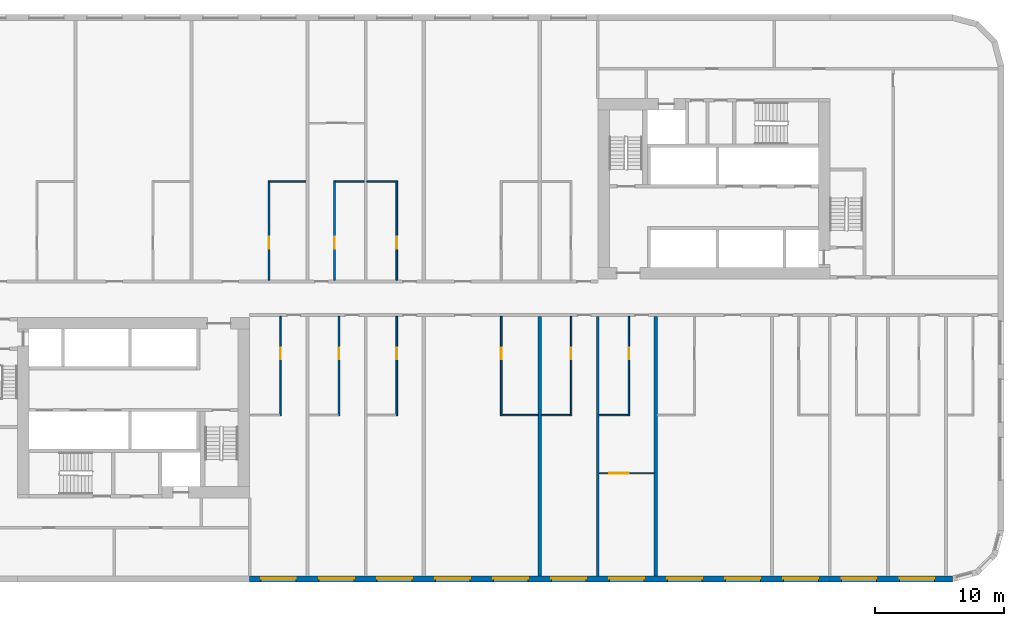
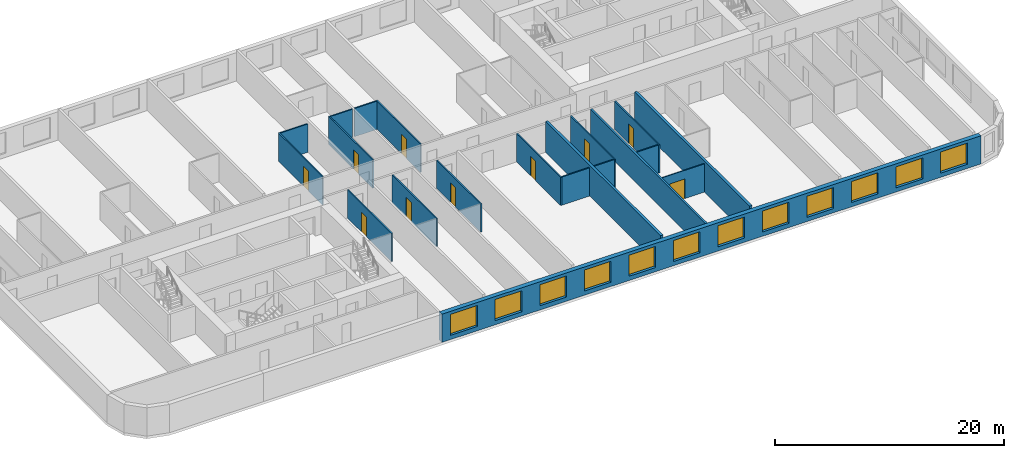
# One storey, part 4 of 12: 20 walls, 12 windows, 10 doors, 22 openings.
"""IFC4 building model written with IfcOpenShell, lengths in metres."""

from ifc_helpers import new_model, si_unit, direction, frame, frame_2d, origin, place, context, subcontext, project, spatial, rectangle, extrude, material, layer, layer_set, type_object, element, fill, save


model = new_model("IFC4")

# Units and contexts
model_context = context("Model", 3, precision=1e-05, world=origin(), true_north=direction((0.0, 1.0)))
body_context = subcontext(model_context, "Body", "Model", "MODEL_VIEW")
ifc_project = project(units=[si_unit("LENGTHUNIT", "METRE"), si_unit("AREAUNIT", "SQUARE_METRE"), si_unit("VOLUMEUNIT", "CUBIC_METRE"), si_unit("PLANEANGLEUNIT", "RADIAN"), si_unit("MASSUNIT", "GRAM", prefix="KILO")], contexts=[model_context])

# Site, building, storey
site_placement = place(None, origin())
site = spatial("IfcSite", under=ifc_project, at=site_placement, CompositionType="ELEMENT")
building_placement = place(site_placement, origin())
building = spatial("IfcBuilding", under=site, at=building_placement, Name="Kajstack Hotel Tower", CompositionType="ELEMENT")
storey_placement = place(building_placement, frame((0.0, 0.0, 83.10009765625)))
storey = spatial("IfcBuildingStorey", under=building, at=storey_placement, Name="L16", CompositionType="ELEMENT", Elevation=83.10009765625)

# Wall
ifc_material_1 = material(Name="Twin-frame gypsum board on steel studs, mineral wool", Category="steel")
ifc_layer_1 = layer(ifc_material_1, 0.199951171875)
ifc_layer_set_1 = layer_set([ifc_layer_1], Name="Demising wall 200")
wall_type_1 = type_object("IfcWallType", Name="Demising wall 200", PredefinedType="PARTITIONING", material=ifc_layer_set_1)
wall_1_placement = place(storey_placement, frame((13.5, -21.550048828125, 0.0), z_axis=(0.0, 0.0, 1.0), x_axis=(0.0, 1.0, 0.0)))
element("IfcWall", 1, at=wall_1_placement, inside=storey, type_object=wall_type_1, Name="G-wall-L16-034", PredefinedType="PARTITIONING", context=body_context, shape_type="SweptSolid", body=[
    extrude(rectangle(XDim=20.150146484375, YDim=0.199951171875, at=frame_2d((10.0751953125, 0.0))), origin(), (0.0, 0.0, 1.0), 3.02001953125),
])

# Wall, openings, windows
ifc_material_2 = material(Name="Terracotta-faced brick masonry", Category="masonry")
ifc_layer_2 = layer(ifc_material_2, 0.449951171875)
ifc_layer_set_2 = layer_set([ifc_layer_2], Name="EW-TERRA")
wall_type_2 = type_object("IfcWallType", Name="EW-TERRA", PredefinedType="SOLIDWALL", material=ifc_layer_set_2)
wall_2_placement = place(storey_placement, frame((-13.5, -21.77490234375, 0.0), z_axis=(0.0, 0.0, 1.0), x_axis=(1.0, 0.0, 0.0)))
wall_2 = element("IfcWall", 2, at=wall_2_placement, inside=storey, type_object=wall_type_2, Name="E-wall-L16-03-02", PredefinedType="SOLIDWALL", context=body_context, shape_type="SweptSolid", body=[
    extrude(rectangle(XDim=54.5, YDim=0.449951171875, at=frame_2d((27.25, 0.0))), origin(), (0.0, 0.0, 1.0), 3.02001953125),
])
opening_1_placement = place(wall_2_placement, frame((0.89990234375, 0.0, 0.449951171875)))
opening_1 = element("IfcOpeningElement", 3, at=opening_1_placement, cuts=wall_2, Name="Opening W1", PredefinedType="OPENING", context=body_context, shape_type="SweptSolid", body=[
    extrude(rectangle(XDim=2.699951171875, YDim=2.25, at=frame_2d((1.35009765625, 1.125))), frame((0.0, 0.23486328125, 0.0), z_axis=(0.0, -1.0, 0.0), x_axis=(1.0, 0.0, 0.0)), (0.0, 0.0, 1.0), 0.469970703125),
])
opening_2_placement = place(wall_2_placement, frame((5.39990234375, 0.0, 0.449951171875)))
opening_2 = element("IfcOpeningElement", 4, at=opening_2_placement, cuts=wall_2, Name="Opening W1", PredefinedType="OPENING", context=body_context, shape_type="SweptSolid", body=[
    extrude(rectangle(XDim=2.699951171875, YDim=2.25, at=frame_2d((1.35009765625, 1.125))), frame((0.0, 0.23486328125, 0.0), z_axis=(0.0, -1.0, 0.0), x_axis=(1.0, 0.0, 0.0)), (0.0, 0.0, 1.0), 0.469970703125),
])
opening_3_placement = place(wall_2_placement, frame((9.89990234375, 0.0, 0.449951171875)))
opening_3 = element("IfcOpeningElement", 5, at=opening_3_placement, cuts=wall_2, Name="Opening W1", PredefinedType="OPENING", context=body_context, shape_type="SweptSolid", body=[
    extrude(rectangle(XDim=2.699951171875, YDim=2.25, at=frame_2d((1.35009765625, 1.125))), frame((0.0, 0.23486328125, 0.0), z_axis=(0.0, -1.0, 0.0), x_axis=(1.0, 0.0, 0.0)), (0.0, 0.0, 1.0), 0.469970703125),
])
opening_4_placement = place(wall_2_placement, frame((14.39990234375, 0.0, 0.449951171875)))
opening_4 = element("IfcOpeningElement", 6, at=opening_4_placement, cuts=wall_2, Name="Opening W1", PredefinedType="OPENING", context=body_context, shape_type="SweptSolid", body=[
    extrude(rectangle(XDim=2.699951171875, YDim=2.25, at=frame_2d((1.35009765625, 1.125))), frame((0.0, 0.23486328125, 0.0), z_axis=(0.0, -1.0, 0.0), x_axis=(1.0, 0.0, 0.0)), (0.0, 0.0, 1.0), 0.469970703125),
])
opening_5_placement = place(wall_2_placement, frame((18.89990234375, 0.0, 0.449951171875)))
opening_5 = element("IfcOpeningElement", 7, at=opening_5_placement, cuts=wall_2, Name="Opening W1", PredefinedType="OPENING", context=body_context, shape_type="SweptSolid", body=[
    extrude(rectangle(XDim=2.699951171875, YDim=2.25, at=frame_2d((1.35009765625, 1.125))), frame((0.0, 0.23486328125, 0.0), z_axis=(0.0, -1.0, 0.0), x_axis=(1.0, 0.0, 0.0)), (0.0, 0.0, 1.0), 0.469970703125),
])
opening_6_placement = place(wall_2_placement, frame((23.39990234375, 0.0, 0.449951171875)))
opening_6 = element("IfcOpeningElement", 8, at=opening_6_placement, cuts=wall_2, Name="Opening W1", PredefinedType="OPENING", context=body_context, shape_type="SweptSolid", body=[
    extrude(rectangle(XDim=2.699951171875, YDim=2.25, at=frame_2d((1.35009765625, 1.125))), frame((0.0, 0.23486328125, 0.0), z_axis=(0.0, -1.0, 0.0), x_axis=(1.0, 0.0, 0.0)), (0.0, 0.0, 1.0), 0.469970703125),
])
opening_7_placement = place(wall_2_placement, frame((27.89990234375, 0.0, 0.449951171875)))
opening_7 = element("IfcOpeningElement", 9, at=opening_7_placement, cuts=wall_2, Name="Opening W1", PredefinedType="OPENING", context=body_context, shape_type="SweptSolid", body=[
    extrude(rectangle(XDim=2.699951171875, YDim=2.25, at=frame_2d((1.35009765625, 1.125))), frame((0.0, 0.23486328125, 0.0), z_axis=(0.0, -1.0, 0.0), x_axis=(1.0, 0.0, 0.0)), (0.0, 0.0, 1.0), 0.469970703125),
])
opening_8_placement = place(wall_2_placement, frame((32.39990234375, 0.0, 0.449951171875)))
opening_8 = element("IfcOpeningElement", 10, at=opening_8_placement, cuts=wall_2, Name="Opening W1", PredefinedType="OPENING", context=body_context, shape_type="SweptSolid", body=[
    extrude(rectangle(XDim=2.699951171875, YDim=2.25, at=frame_2d((1.35009765625, 1.125))), frame((0.0, 0.23486328125, 0.0), z_axis=(0.0, -1.0, 0.0), x_axis=(1.0, 0.0, 0.0)), (0.0, 0.0, 1.0), 0.469970703125),
])
opening_9_placement = place(wall_2_placement, frame((36.89990234375, 0.0, 0.449951171875)))
opening_9 = element("IfcOpeningElement", 11, at=opening_9_placement, cuts=wall_2, Name="Opening W1", PredefinedType="OPENING", context=body_context, shape_type="SweptSolid", body=[
    extrude(rectangle(XDim=2.699951171875, YDim=2.25, at=frame_2d((1.35009765625, 1.125))), frame((0.0, 0.23486328125, 0.0), z_axis=(0.0, -1.0, 0.0), x_axis=(1.0, 0.0, 0.0)), (0.0, 0.0, 1.0), 0.469970703125),
])
opening_10_placement = place(wall_2_placement, frame((41.39990234375, 0.0, 0.449951171875)))
opening_10 = element("IfcOpeningElement", 12, at=opening_10_placement, cuts=wall_2, Name="Opening W1", PredefinedType="OPENING", context=body_context, shape_type="SweptSolid", body=[
    extrude(rectangle(XDim=2.699951171875, YDim=2.25, at=frame_2d((1.35009765625, 1.125))), frame((0.0, 0.23486328125, 0.0), z_axis=(0.0, -1.0, 0.0), x_axis=(1.0, 0.0, 0.0)), (0.0, 0.0, 1.0), 0.469970703125),
])
opening_11_placement = place(wall_2_placement, frame((45.89990234375, 0.0, 0.449951171875)))
opening_11 = element("IfcOpeningElement", 13, at=opening_11_placement, cuts=wall_2, Name="Opening W1", PredefinedType="OPENING", context=body_context, shape_type="SweptSolid", body=[
    extrude(rectangle(XDim=2.699951171875, YDim=2.25, at=frame_2d((1.35009765625, 1.125))), frame((0.0, 0.23486328125, 0.0), z_axis=(0.0, -1.0, 0.0), x_axis=(1.0, 0.0, 0.0)), (0.0, 0.0, 1.0), 0.469970703125),
])
opening_12_placement = place(wall_2_placement, frame((50.39990234375, 0.0, 0.449951171875)))
opening_12 = element("IfcOpeningElement", 14, at=opening_12_placement, cuts=wall_2, Name="Opening W1", PredefinedType="OPENING", context=body_context, shape_type="SweptSolid", body=[
    extrude(rectangle(XDim=2.699951171875, YDim=2.25, at=frame_2d((1.35009765625, 1.125))), frame((0.0, 0.23486328125, 0.0), z_axis=(0.0, -1.0, 0.0), x_axis=(1.0, 0.0, 0.0)), (0.0, 0.0, 1.0), 0.469970703125),
])
ifc_material_3 = material(Name="Timber-aluminium window, triple glazed", Category="wood")
window_type = type_object("IfcWindowType", Name="WG1", PartitioningType="SINGLE_PANEL", PredefinedType="WINDOW", material=ifc_material_3)
window_1_placement = place(opening_1_placement, origin())
window_1 = element("IfcWindow", 15, at=window_1_placement, inside=storey, type_object=window_type, Name="Window W1 L16-03", OverallHeight=2.25, OverallWidth=2.699951171875, PartitioningType="SINGLE_PANEL", PredefinedType="WINDOW", context=body_context, shape_type="SweptSolid", body=[
    extrude(rectangle(XDim=2.699951171875, YDim=2.25, at=frame_2d((1.35009765625, 1.125))), frame((0.0, 0.090087890625, 0.0), z_axis=(0.0, -1.0, 0.0), x_axis=(1.0, 0.0, 0.0)), (0.0, 0.0, 1.0), 0.06005859375),
])
fill(opening_1, window_1)
window_2_placement = place(opening_2_placement, origin())
window_2 = element("IfcWindow", 16, at=window_2_placement, inside=storey, type_object=window_type, Name="Window W1 L16-03", OverallHeight=2.25, OverallWidth=2.699951171875, PartitioningType="SINGLE_PANEL", PredefinedType="WINDOW", context=body_context, shape_type="SweptSolid", body=[
    extrude(rectangle(XDim=2.699951171875, YDim=2.25, at=frame_2d((1.35009765625, 1.125))), frame((0.0, 0.090087890625, 0.0), z_axis=(0.0, -1.0, 0.0), x_axis=(1.0, 0.0, 0.0)), (0.0, 0.0, 1.0), 0.06005859375),
])
fill(opening_2, window_2)
window_3_placement = place(opening_3_placement, origin())
window_3 = element("IfcWindow", 17, at=window_3_placement, inside=storey, type_object=window_type, Name="Window W1 L16-03", OverallHeight=2.25, OverallWidth=2.699951171875, PartitioningType="SINGLE_PANEL", PredefinedType="WINDOW", context=body_context, shape_type="SweptSolid", body=[
    extrude(rectangle(XDim=2.699951171875, YDim=2.25, at=frame_2d((1.35009765625, 1.125))), frame((0.0, 0.090087890625, 0.0), z_axis=(0.0, -1.0, 0.0), x_axis=(1.0, 0.0, 0.0)), (0.0, 0.0, 1.0), 0.06005859375),
])
fill(opening_3, window_3)
window_4_placement = place(opening_4_placement, origin())
window_4 = element("IfcWindow", 18, at=window_4_placement, inside=storey, type_object=window_type, Name="Window W1 L16-03", OverallHeight=2.25, OverallWidth=2.699951171875, PartitioningType="SINGLE_PANEL", PredefinedType="WINDOW", context=body_context, shape_type="SweptSolid", body=[
    extrude(rectangle(XDim=2.699951171875, YDim=2.25, at=frame_2d((1.35009765625, 1.125))), frame((0.0, 0.090087890625, 0.0), z_axis=(0.0, -1.0, 0.0), x_axis=(1.0, 0.0, 0.0)), (0.0, 0.0, 1.0), 0.06005859375),
])
fill(opening_4, window_4)
window_5_placement = place(opening_5_placement, origin())
window_5 = element("IfcWindow", 19, at=window_5_placement, inside=storey, type_object=window_type, Name="Window W1 L16-03", OverallHeight=2.25, OverallWidth=2.699951171875, PartitioningType="SINGLE_PANEL", PredefinedType="WINDOW", context=body_context, shape_type="SweptSolid", body=[
    extrude(rectangle(XDim=2.699951171875, YDim=2.25, at=frame_2d((1.35009765625, 1.125))), frame((0.0, 0.090087890625, 0.0), z_axis=(0.0, -1.0, 0.0), x_axis=(1.0, 0.0, 0.0)), (0.0, 0.0, 1.0), 0.06005859375),
])
fill(opening_5, window_5)
window_6_placement = place(opening_6_placement, origin())
window_6 = element("IfcWindow", 20, at=window_6_placement, inside=storey, type_object=window_type, Name="Window W1 L16-03", OverallHeight=2.25, OverallWidth=2.699951171875, PartitioningType="SINGLE_PANEL", PredefinedType="WINDOW", context=body_context, shape_type="SweptSolid", body=[
    extrude(rectangle(XDim=2.699951171875, YDim=2.25, at=frame_2d((1.35009765625, 1.125))), frame((0.0, 0.090087890625, 0.0), z_axis=(0.0, -1.0, 0.0), x_axis=(1.0, 0.0, 0.0)), (0.0, 0.0, 1.0), 0.06005859375),
])
fill(opening_6, window_6)
window_7_placement = place(opening_7_placement, origin())
window_7 = element("IfcWindow", 21, at=window_7_placement, inside=storey, type_object=window_type, Name="Window W1 L16-03", OverallHeight=2.25, OverallWidth=2.699951171875, PartitioningType="SINGLE_PANEL", PredefinedType="WINDOW", context=body_context, shape_type="SweptSolid", body=[
    extrude(rectangle(XDim=2.699951171875, YDim=2.25, at=frame_2d((1.35009765625, 1.125))), frame((0.0, 0.090087890625, 0.0), z_axis=(0.0, -1.0, 0.0), x_axis=(1.0, 0.0, 0.0)), (0.0, 0.0, 1.0), 0.06005859375),
])
fill(opening_7, window_7)
window_8_placement = place(opening_8_placement, origin())
window_8 = element("IfcWindow", 22, at=window_8_placement, inside=storey, type_object=window_type, Name="Window W1 L16-03", OverallHeight=2.25, OverallWidth=2.699951171875, PartitioningType="SINGLE_PANEL", PredefinedType="WINDOW", context=body_context, shape_type="SweptSolid", body=[
    extrude(rectangle(XDim=2.699951171875, YDim=2.25, at=frame_2d((1.35009765625, 1.125))), frame((0.0, 0.090087890625, 0.0), z_axis=(0.0, -1.0, 0.0), x_axis=(1.0, 0.0, 0.0)), (0.0, 0.0, 1.0), 0.06005859375),
])
fill(opening_8, window_8)
window_9_placement = place(opening_9_placement, origin())
window_9 = element("IfcWindow", 23, at=window_9_placement, inside=storey, type_object=window_type, Name="Window W1 L16-03", OverallHeight=2.25, OverallWidth=2.699951171875, PartitioningType="SINGLE_PANEL", PredefinedType="WINDOW", context=body_context, shape_type="SweptSolid", body=[
    extrude(rectangle(XDim=2.699951171875, YDim=2.25, at=frame_2d((1.35009765625, 1.125))), frame((0.0, 0.090087890625, 0.0), z_axis=(0.0, -1.0, 0.0), x_axis=(1.0, 0.0, 0.0)), (0.0, 0.0, 1.0), 0.06005859375),
])
fill(opening_9, window_9)
window_10_placement = place(opening_10_placement, origin())
window_10 = element("IfcWindow", 24, at=window_10_placement, inside=storey, type_object=window_type, Name="Window W1 L16-03", OverallHeight=2.25, OverallWidth=2.699951171875, PartitioningType="SINGLE_PANEL", PredefinedType="WINDOW", context=body_context, shape_type="SweptSolid", body=[
    extrude(rectangle(XDim=2.699951171875, YDim=2.25, at=frame_2d((1.35009765625, 1.125))), frame((0.0, 0.090087890625, 0.0), z_axis=(0.0, -1.0, 0.0), x_axis=(1.0, 0.0, 0.0)), (0.0, 0.0, 1.0), 0.06005859375),
])
fill(opening_10, window_10)
window_11_placement = place(opening_11_placement, origin())
window_11 = element("IfcWindow", 25, at=window_11_placement, inside=storey, type_object=window_type, Name="Window W1 L16-03", OverallHeight=2.25, OverallWidth=2.699951171875, PartitioningType="SINGLE_PANEL", PredefinedType="WINDOW", context=body_context, shape_type="SweptSolid", body=[
    extrude(rectangle(XDim=2.699951171875, YDim=2.25, at=frame_2d((1.35009765625, 1.125))), frame((0.0, 0.090087890625, 0.0), z_axis=(0.0, -1.0, 0.0), x_axis=(1.0, 0.0, 0.0)), (0.0, 0.0, 1.0), 0.06005859375),
])
fill(opening_11, window_11)
window_12_placement = place(opening_12_placement, origin())
window_12 = element("IfcWindow", 26, at=window_12_placement, inside=storey, type_object=window_type, Name="Window W1 L16-03", OverallHeight=2.25, OverallWidth=2.699951171875, PartitioningType="SINGLE_PANEL", PredefinedType="WINDOW", context=body_context, shape_type="SweptSolid", body=[
    extrude(rectangle(XDim=2.699951171875, YDim=2.25, at=frame_2d((1.35009765625, 1.125))), frame((0.0, 0.090087890625, 0.0), z_axis=(0.0, -1.0, 0.0), x_axis=(1.0, 0.0, 0.0)), (0.0, 0.0, 1.0), 0.06005859375),
])
fill(opening_12, window_12)

# Wall, opening, door
ifc_material_4 = material(Name="Gypsum board and tiled backer on steel studs", Category="steel")
ifc_layer_3 = layer(ifc_material_4, 0.125)
ifc_layer_set_3 = layer_set([ifc_layer_3], Name="En-suite wall 125")
wall_type_3 = type_object("IfcWallType", Name="En-suite wall 125", PredefinedType="PARTITIONING", material=ifc_layer_set_3)
wall_3_placement = place(storey_placement, frame((-11.988037109375, 1.39990234375, 0.0), z_axis=(0.0, 0.0, 1.0), x_axis=(0.0, 1.0, 0.0)))
wall_3 = element("IfcWall", 27, at=wall_3_placement, inside=storey, type_object=wall_type_3, Name="G-wall-L16-012", PredefinedType="PARTITIONING", context=body_context, shape_type="SweptSolid", body=[
    extrude(rectangle(XDim=7.72509765625, YDim=0.125, at=frame_2d((3.862548828125, 0.0))), origin(), (0.0, 0.0, 1.0), 3.02001953125),
])
opening_13_placement = place(wall_3_placement, frame((2.449951171875, 0.0, 0.0)))
opening_13 = element("IfcOpeningElement", 28, at=opening_13_placement, cuts=wall_3, Name="Opening 16010", PredefinedType="OPENING", context=body_context, shape_type="SweptSolid", body=[
    extrude(rectangle(XDim=0.89990234375, YDim=2.10009765625, at=frame_2d((0.449951171875, 1.050048828125))), frame((0.0, 0.072509765625, 0.0), z_axis=(0.0, -1.0, 0.0), x_axis=(1.0, 0.0, 0.0)), (0.0, 0.0, 1.0), 0.14501953125),
])
ifc_material_5 = material(Name="Painted timber door leaf", Category="wood")
door_type_1 = type_object("IfcDoorType", Name="Room door 900", OperationType="SINGLE_SWING_LEFT", PredefinedType="DOOR", material=ifc_material_5)
door_1_placement = place(opening_13_placement, origin())
door_1 = element("IfcDoor", 29, at=door_1_placement, inside=storey, type_object=door_type_1, Name="G-door-L16-10", OperationType="SINGLE_SWING_RIGHT", OverallHeight=2.10009765625, OverallWidth=0.89990234375, PredefinedType="DOOR", context=body_context, shape_type="SweptSolid", body=[
    extrude(rectangle(XDim=0.89990234375, YDim=2.10009765625, at=frame_2d((0.449951171875, 1.050048828125))), frame((0.0, 0.02490234375, 0.0), z_axis=(0.0, -1.0, 0.0), x_axis=(1.0, 0.0, 0.0)), (0.0, 0.0, 1.0), 0.050048828125),
])
fill(opening_13, door_1)

# Wall
wall_4_placement = place(storey_placement, frame((-11.925048828125, 9.06201171875, 0.0), z_axis=(0.0, 0.0, 1.0), x_axis=(1.0, 0.0, 0.0)))
element("IfcWall", 30, at=wall_4_placement, inside=storey, type_object=wall_type_3, Name="G-wall-L16-013", PredefinedType="PARTITIONING", context=body_context, shape_type="SweptSolid", body=[
    extrude(rectangle(XDim=2.800048828125, YDim=0.125, at=frame_2d((1.39990234375, 0.0))), origin(), (0.0, 0.0, 1.0), 3.02001953125),
])

# Wall, opening, door
wall_5_placement = place(storey_placement, frame((-6.912109375, 1.39990234375, 0.0), z_axis=(0.0, 0.0, 1.0), x_axis=(0.0, 1.0, 0.0)))
wall_5 = element("IfcWall", 31, at=wall_5_placement, inside=storey, type_object=wall_type_3, Name="G-wall-L16-015", PredefinedType="PARTITIONING", context=body_context, shape_type="SweptSolid", body=[
    extrude(rectangle(XDim=7.72509765625, YDim=0.125, at=frame_2d((3.862548828125, 0.0))), origin(), (0.0, 0.0, 1.0), 3.02001953125),
])
opening_14_placement = place(wall_5_placement, frame((2.449951171875, 0.0, 0.0)))
opening_14 = element("IfcOpeningElement", 32, at=opening_14_placement, cuts=wall_5, Name="Opening 16012", PredefinedType="OPENING", context=body_context, shape_type="SweptSolid", body=[
    extrude(rectangle(XDim=0.89990234375, YDim=2.10009765625, at=frame_2d((0.449951171875, 1.050048828125))), frame((0.0, 0.072509765625, 0.0), z_axis=(0.0, -1.0, 0.0), x_axis=(1.0, 0.0, 0.0)), (0.0, 0.0, 1.0), 0.14501953125),
])
door_2_placement = place(opening_14_placement, origin())
door_2 = element("IfcDoor", 33, at=door_2_placement, inside=storey, type_object=door_type_1, Name="G-door-L16-12", OperationType="SINGLE_SWING_RIGHT", OverallHeight=2.10009765625, OverallWidth=0.89990234375, PredefinedType="DOOR", context=body_context, shape_type="SweptSolid", body=[
    extrude(rectangle(XDim=0.89990234375, YDim=2.10009765625, at=frame_2d((0.449951171875, 1.050048828125))), frame((0.0, 0.02490234375, 0.0), z_axis=(0.0, -1.0, 0.0), x_axis=(1.0, 0.0, 0.0)), (0.0, 0.0, 1.0), 0.050048828125),
])
fill(opening_14, door_2)

# Wall
wall_6_placement = place(storey_placement, frame((-6.85009765625, 9.06201171875, 0.0), z_axis=(0.0, 0.0, 1.0), x_axis=(1.0, 0.0, 0.0)))
element("IfcWall", 34, at=wall_6_placement, inside=storey, type_object=wall_type_3, Name="G-wall-L16-016", PredefinedType="PARTITIONING", context=body_context, shape_type="SweptSolid", body=[
    extrude(rectangle(XDim=2.25, YDim=0.125, at=frame_2d((1.125, 0.0))), origin(), (0.0, 0.0, 1.0), 3.02001953125),
])

# Wall, opening, door
wall_7_placement = place(storey_placement, frame((-2.0869140625, 1.39990234375, 0.0), z_axis=(0.0, 0.0, 1.0), x_axis=(0.0, 1.0, 0.0)))
wall_7 = element("IfcWall", 35, at=wall_7_placement, inside=storey, type_object=wall_type_3, Name="G-wall-L16-018", PredefinedType="PARTITIONING", context=body_context, shape_type="SweptSolid", body=[
    extrude(rectangle(XDim=7.72509765625, YDim=0.125, at=frame_2d((3.862548828125, 0.0))), origin(), (0.0, 0.0, 1.0), 3.02001953125),
])
opening_15_placement = place(wall_7_placement, frame((2.449951171875, 0.0, 0.0)))
opening_15 = element("IfcOpeningElement", 36, at=opening_15_placement, cuts=wall_7, Name="Opening 16015", PredefinedType="OPENING", context=body_context, shape_type="SweptSolid", body=[
    extrude(rectangle(XDim=0.89990234375, YDim=2.10009765625, at=frame_2d((0.449951171875, 1.050048828125))), frame((0.0, 0.072509765625, 0.0), z_axis=(0.0, -1.0, 0.0), x_axis=(1.0, 0.0, 0.0)), (0.0, 0.0, 1.0), 0.14501953125),
])
door_3_placement = place(opening_15_placement, origin())
door_3 = element("IfcDoor", 37, at=door_3_placement, inside=storey, type_object=door_type_1, Name="G-door-L16-15", OperationType="SINGLE_SWING_LEFT", OverallHeight=2.10009765625, OverallWidth=0.89990234375, PredefinedType="DOOR", context=body_context, shape_type="SweptSolid", body=[
    extrude(rectangle(XDim=0.89990234375, YDim=2.10009765625, at=frame_2d((0.449951171875, 1.050048828125))), frame((0.0, 0.02490234375, 0.0), z_axis=(0.0, -1.0, 0.0), x_axis=(1.0, 0.0, 0.0)), (0.0, 0.0, 1.0), 0.050048828125),
])
fill(opening_15, door_3)

# Wall
wall_8_placement = place(storey_placement, frame((-4.39990234375, 9.06201171875, 0.0), z_axis=(0.0, 0.0, 1.0), x_axis=(1.0, 0.0, 0.0)))
element("IfcWall", 38, at=wall_8_placement, inside=storey, type_object=wall_type_3, Name="G-wall-L16-019", PredefinedType="PARTITIONING", context=body_context, shape_type="SweptSolid", body=[
    extrude(rectangle(XDim=2.25, YDim=0.125, at=frame_2d((1.125, 0.0))), origin(), (0.0, 0.0, 1.0), 3.02001953125),
])

# Wall, opening, door
wall_9_placement = place(storey_placement, frame((-11.087890625, -9.125, 0.0), z_axis=(0.0, 0.0, 1.0), x_axis=(0.0, 1.0, 0.0)))
wall_9 = element("IfcWall", 39, at=wall_9_placement, inside=storey, type_object=wall_type_3, Name="G-wall-L16-025", PredefinedType="PARTITIONING", context=body_context, shape_type="SweptSolid", body=[
    extrude(rectangle(XDim=7.72509765625, YDim=0.125, at=frame_2d((3.862548828125, 0.0))), origin(), (0.0, 0.0, 1.0), 3.02001953125),
])
opening_16_placement = place(wall_9_placement, frame((4.375, 0.0, 0.0)))
opening_16 = element("IfcOpeningElement", 40, at=opening_16_placement, cuts=wall_9, Name="Opening 16021", PredefinedType="OPENING", context=body_context, shape_type="SweptSolid", body=[
    extrude(rectangle(XDim=0.89990234375, YDim=2.10009765625, at=frame_2d((0.449951171875, 1.050048828125))), frame((0.0, 0.072509765625, 0.0), z_axis=(0.0, -1.0, 0.0), x_axis=(1.0, 0.0, 0.0)), (0.0, 0.0, 1.0), 0.14501953125),
])
door_4_placement = place(opening_16_placement, origin())
door_4 = element("IfcDoor", 41, at=door_4_placement, inside=storey, type_object=door_type_1, Name="G-door-L16-21", OperationType="SINGLE_SWING_LEFT", OverallHeight=2.10009765625, OverallWidth=0.89990234375, PredefinedType="DOOR", context=body_context, shape_type="SweptSolid", body=[
    extrude(rectangle(XDim=0.89990234375, YDim=2.10009765625, at=frame_2d((0.449951171875, 1.050048828125))), frame((0.0, 0.02490234375, 0.0), z_axis=(0.0, -1.0, 0.0), x_axis=(1.0, 0.0, 0.0)), (0.0, 0.0, 1.0), 0.050048828125),
])
fill(opening_16, door_4)

wall_10_placement = place(storey_placement, frame((-6.56201171875, -9.125, 0.0), z_axis=(0.0, 0.0, 1.0), x_axis=(0.0, 1.0, 0.0)))
wall_10 = element("IfcWall", 42, at=wall_10_placement, inside=storey, type_object=wall_type_3, Name="G-wall-L16-028", PredefinedType="PARTITIONING", context=body_context, shape_type="SweptSolid", body=[
    extrude(rectangle(XDim=7.72509765625, YDim=0.125, at=frame_2d((3.862548828125, 0.0))), origin(), (0.0, 0.0, 1.0), 3.02001953125),
])
opening_17_placement = place(wall_10_placement, frame((4.375, 0.0, 0.0)))
opening_17 = element("IfcOpeningElement", 43, at=opening_17_placement, cuts=wall_10, Name="Opening 16023", PredefinedType="OPENING", context=body_context, shape_type="SweptSolid", body=[
    extrude(rectangle(XDim=0.89990234375, YDim=2.10009765625, at=frame_2d((0.449951171875, 1.050048828125))), frame((0.0, 0.072509765625, 0.0), z_axis=(0.0, -1.0, 0.0), x_axis=(1.0, 0.0, 0.0)), (0.0, 0.0, 1.0), 0.14501953125),
])
door_5_placement = place(opening_17_placement, origin())
door_5 = element("IfcDoor", 44, at=door_5_placement, inside=storey, type_object=door_type_1, Name="G-door-L16-23", OperationType="SINGLE_SWING_RIGHT", OverallHeight=2.10009765625, OverallWidth=0.89990234375, PredefinedType="DOOR", context=body_context, shape_type="SweptSolid", body=[
    extrude(rectangle(XDim=0.89990234375, YDim=2.10009765625, at=frame_2d((0.449951171875, 1.050048828125))), frame((0.0, 0.02490234375, 0.0), z_axis=(0.0, -1.0, 0.0), x_axis=(1.0, 0.0, 0.0)), (0.0, 0.0, 1.0), 0.050048828125),
])
fill(opening_17, door_5)

wall_11_placement = place(storey_placement, frame((-2.0869140625, -9.125, 0.0), z_axis=(0.0, 0.0, 1.0), x_axis=(0.0, 1.0, 0.0)))
wall_11 = element("IfcWall", 45, at=wall_11_placement, inside=storey, type_object=wall_type_3, Name="G-wall-L16-030", PredefinedType="PARTITIONING", context=body_context, shape_type="SweptSolid", body=[
    extrude(rectangle(XDim=7.72509765625, YDim=0.125, at=frame_2d((3.862548828125, 0.0))), origin(), (0.0, 0.0, 1.0), 3.02001953125),
])
opening_18_placement = place(wall_11_placement, frame((4.375, 0.0, 0.0)))
opening_18 = element("IfcOpeningElement", 46, at=opening_18_placement, cuts=wall_11, Name="Opening 16025", PredefinedType="OPENING", context=body_context, shape_type="SweptSolid", body=[
    extrude(rectangle(XDim=0.89990234375, YDim=2.10009765625, at=frame_2d((0.449951171875, 1.050048828125))), frame((0.0, 0.072509765625, 0.0), z_axis=(0.0, -1.0, 0.0), x_axis=(1.0, 0.0, 0.0)), (0.0, 0.0, 1.0), 0.14501953125),
])
door_6_placement = place(opening_18_placement, origin())
door_6 = element("IfcDoor", 47, at=door_6_placement, inside=storey, type_object=door_type_1, Name="G-door-L16-25", OperationType="SINGLE_SWING_RIGHT", OverallHeight=2.10009765625, OverallWidth=0.89990234375, PredefinedType="DOOR", context=body_context, shape_type="SweptSolid", body=[
    extrude(rectangle(XDim=0.89990234375, YDim=2.10009765625, at=frame_2d((0.449951171875, 1.050048828125))), frame((0.0, 0.02490234375, 0.0), z_axis=(0.0, -1.0, 0.0), x_axis=(1.0, 0.0, 0.0)), (0.0, 0.0, 1.0), 0.050048828125),
])
fill(opening_18, door_6)

wall_12_placement = place(storey_placement, frame((6.012939453125, -9.125, 0.0), z_axis=(0.0, 0.0, 1.0), x_axis=(0.0, 1.0, 0.0)))
wall_12 = element("IfcWall", 48, at=wall_12_placement, inside=storey, type_object=wall_type_3, Name="G-wall-L16-032", PredefinedType="PARTITIONING", context=body_context, shape_type="SweptSolid", body=[
    extrude(rectangle(XDim=7.72509765625, YDim=0.125, at=frame_2d((3.862548828125, 0.0))), origin(), (0.0, 0.0, 1.0), 3.02001953125),
])
opening_19_placement = place(wall_12_placement, frame((4.375, 0.0, 0.0)))
opening_19 = element("IfcOpeningElement", 49, at=opening_19_placement, cuts=wall_12, Name="Opening 16027", PredefinedType="OPENING", context=body_context, shape_type="SweptSolid", body=[
    extrude(rectangle(XDim=0.89990234375, YDim=2.10009765625, at=frame_2d((0.449951171875, 1.050048828125))), frame((0.0, 0.072509765625, 0.0), z_axis=(0.0, -1.0, 0.0), x_axis=(1.0, 0.0, 0.0)), (0.0, 0.0, 1.0), 0.14501953125),
])
door_7_placement = place(opening_19_placement, origin())
door_7 = element("IfcDoor", 50, at=door_7_placement, inside=storey, type_object=door_type_1, Name="G-door-L16-27", OperationType="SINGLE_SWING_RIGHT", OverallHeight=2.10009765625, OverallWidth=0.89990234375, PredefinedType="DOOR", context=body_context, shape_type="SweptSolid", body=[
    extrude(rectangle(XDim=0.89990234375, YDim=2.10009765625, at=frame_2d((0.449951171875, 1.050048828125))), frame((0.0, 0.02490234375, 0.0), z_axis=(0.0, -1.0, 0.0), x_axis=(1.0, 0.0, 0.0)), (0.0, 0.0, 1.0), 0.050048828125),
])
fill(opening_19, door_7)

# Wall
wall_13_placement = place(storey_placement, frame((6.074951171875, -9.06201171875, 0.0), z_axis=(0.0, 0.0, 1.0), x_axis=(1.0, 0.0, 0.0)))
element("IfcWall", 51, at=wall_13_placement, inside=storey, type_object=wall_type_3, Name="G-wall-L16-033", PredefinedType="PARTITIONING", context=body_context, shape_type="SweptSolid", body=[
    extrude(rectangle(XDim=2.800048828125, YDim=0.125, at=frame_2d((1.39990234375, 0.0))), origin(), (0.0, 0.0, 1.0), 3.02001953125),
])

# Wall, opening, door
wall_14_placement = place(storey_placement, frame((11.43798828125, -9.125, 0.0), z_axis=(0.0, 0.0, 1.0), x_axis=(0.0, 1.0, 0.0)))
wall_14 = element("IfcWall", 52, at=wall_14_placement, inside=storey, type_object=wall_type_3, Name="G-wall-L16-035", PredefinedType="PARTITIONING", context=body_context, shape_type="SweptSolid", body=[
    extrude(rectangle(XDim=7.72509765625, YDim=0.125, at=frame_2d((3.862548828125, 0.0))), origin(), (0.0, 0.0, 1.0), 3.02001953125),
])
opening_20_placement = place(wall_14_placement, frame((4.375, 0.0, 0.0)))
opening_20 = element("IfcOpeningElement", 53, at=opening_20_placement, cuts=wall_14, Name="Opening 16029", PredefinedType="OPENING", context=body_context, shape_type="SweptSolid", body=[
    extrude(rectangle(XDim=0.89990234375, YDim=2.10009765625, at=frame_2d((0.449951171875, 1.050048828125))), frame((0.0, 0.072509765625, 0.0), z_axis=(0.0, -1.0, 0.0), x_axis=(1.0, 0.0, 0.0)), (0.0, 0.0, 1.0), 0.14501953125),
])
door_8_placement = place(opening_20_placement, origin())
door_8 = element("IfcDoor", 54, at=door_8_placement, inside=storey, type_object=door_type_1, Name="G-door-L16-29", OperationType="SINGLE_SWING_RIGHT", OverallHeight=2.10009765625, OverallWidth=0.89990234375, PredefinedType="DOOR", context=body_context, shape_type="SweptSolid", body=[
    extrude(rectangle(XDim=0.89990234375, YDim=2.10009765625, at=frame_2d((0.449951171875, 1.050048828125))), frame((0.0, 0.02490234375, 0.0), z_axis=(0.0, -1.0, 0.0), x_axis=(1.0, 0.0, 0.0)), (0.0, 0.0, 1.0), 0.050048828125),
])
fill(opening_20, door_8)

# Wall
wall_15_placement = place(storey_placement, frame((9.125, -9.06201171875, 0.0), z_axis=(0.0, 0.0, 1.0), x_axis=(1.0, 0.0, 0.0)))
element("IfcWall", 55, at=wall_15_placement, inside=storey, type_object=wall_type_3, Name="G-wall-L16-036", PredefinedType="PARTITIONING", context=body_context, shape_type="SweptSolid", body=[
    extrude(rectangle(XDim=2.25, YDim=0.125, at=frame_2d((1.125, 0.0))), origin(), (0.0, 0.0, 1.0), 3.02001953125),
])

# Wall, opening, door
wall_16_placement = place(storey_placement, frame((15.912109375, -9.125, 0.0), z_axis=(0.0, 0.0, 1.0), x_axis=(0.0, 1.0, 0.0)))
wall_16 = element("IfcWall", 56, at=wall_16_placement, inside=storey, type_object=wall_type_3, Name="G-wall-L16-037", PredefinedType="PARTITIONING", context=body_context, shape_type="SweptSolid", body=[
    extrude(rectangle(XDim=7.72509765625, YDim=0.125, at=frame_2d((3.862548828125, 0.0))), origin(), (0.0, 0.0, 1.0), 3.02001953125),
])
opening_21_placement = place(wall_16_placement, frame((4.375, 0.0, 0.0)))
opening_21 = element("IfcOpeningElement", 57, at=opening_21_placement, cuts=wall_16, Name="Opening 16031", PredefinedType="OPENING", context=body_context, shape_type="SweptSolid", body=[
    extrude(rectangle(XDim=0.89990234375, YDim=2.10009765625, at=frame_2d((0.449951171875, 1.050048828125))), frame((0.0, 0.072509765625, 0.0), z_axis=(0.0, -1.0, 0.0), x_axis=(1.0, 0.0, 0.0)), (0.0, 0.0, 1.0), 0.14501953125),
])
door_9_placement = place(opening_21_placement, origin())
door_9 = element("IfcDoor", 58, at=door_9_placement, inside=storey, type_object=door_type_1, Name="G-door-L16-31", OperationType="SINGLE_SWING_LEFT", OverallHeight=2.10009765625, OverallWidth=0.89990234375, PredefinedType="DOOR", context=body_context, shape_type="SweptSolid", body=[
    extrude(rectangle(XDim=0.89990234375, YDim=2.10009765625, at=frame_2d((0.449951171875, 1.050048828125))), frame((0.0, 0.02490234375, 0.0), z_axis=(0.0, -1.0, 0.0), x_axis=(1.0, 0.0, 0.0)), (0.0, 0.0, 1.0), 0.050048828125),
])
fill(opening_21, door_9)

# Wall
wall_17_placement = place(storey_placement, frame((13.60009765625, -9.06201171875, 0.0), z_axis=(0.0, 0.0, 1.0), x_axis=(1.0, 0.0, 0.0)))
element("IfcWall", 59, at=wall_17_placement, inside=storey, type_object=wall_type_3, Name="G-wall-L16-038", PredefinedType="PARTITIONING", context=body_context, shape_type="SweptSolid", body=[
    extrude(rectangle(XDim=2.25, YDim=0.125, at=frame_2d((1.125, 0.0))), origin(), (0.0, 0.0, 1.0), 3.02001953125),
])

# Wall, opening, door
ifc_material_6 = material(Name="Gypsum board on steel studs", Category="steel")
ifc_layer_4 = layer(ifc_material_6, 0.10009765625)
ifc_layer_set_4 = layer_set([ifc_layer_4], Name="Partition 100")
wall_type_4 = type_object("IfcWallType", Name="Partition 100", PredefinedType="PARTITIONING", material=ifc_layer_set_4)
wall_18_placement = place(storey_placement, frame((13.60009765625, -13.574951171875, 0.0), z_axis=(0.0, 0.0, 1.0), x_axis=(1.0, 0.0, 0.0)))
wall_18 = element("IfcWall", 60, at=wall_18_placement, inside=storey, type_object=wall_type_4, Name="G-wall-L16-039", PredefinedType="PARTITIONING", context=body_context, shape_type="SweptSolid", body=[
    extrude(rectangle(XDim=4.27490234375, YDim=0.10009765625, at=frame_2d((2.137451171875, 0.0))), origin(), (0.0, 0.0, 1.0), 3.02001953125),
])
opening_22_placement = place(wall_18_placement, frame((0.7880859375, 0.0, 0.0)))
opening_22 = element("IfcOpeningElement", 61, at=opening_22_placement, cuts=wall_18, Name="Opening 16032", PredefinedType="OPENING", context=body_context, shape_type="SweptSolid", body=[
    extrude(rectangle(XDim=1.5, YDim=2.10009765625, at=frame_2d((0.75, 1.050048828125))), frame((0.0, 0.06005859375, 0.0), z_axis=(0.0, -1.0, 0.0), x_axis=(1.0, 0.0, 0.0)), (0.0, 0.0, 1.0), 0.1201171875),
])
ifc_material_7 = material(Name="Painted timber door leaves, glazed panels", Category="wood")
door_type_2 = type_object("IfcDoorType", Name="Double door 1500", OperationType="SINGLE_SWING_LEFT", PredefinedType="DOOR", material=ifc_material_7)
door_10_placement = place(opening_22_placement, origin())
door_10 = element("IfcDoor", 62, at=door_10_placement, inside=storey, type_object=door_type_2, Name="G-door-L16-32", OperationType="SINGLE_SWING_RIGHT", OverallHeight=2.10009765625, OverallWidth=1.5, PredefinedType="DOOR", context=body_context, shape_type="SweptSolid", body=[
    extrude(rectangle(XDim=1.5, YDim=2.10009765625, at=frame_2d((0.75, 1.050048828125))), frame((0.0, 0.02490234375, 0.0), z_axis=(0.0, -1.0, 0.0), x_axis=(1.0, 0.0, 0.0)), (0.0, 0.0, 1.0), 0.050048828125),
])
fill(opening_22, door_10)

# Walls
ifc_material_8 = material(Name="Concrete C60/75", Category="concrete")
ifc_layer_5 = layer(ifc_material_8, 0.25)
ifc_layer_set_5 = layer_set([ifc_layer_5], Name="RC cross wall 250 C60/75")
wall_type_5 = type_object("IfcWallType", Name="RC cross wall 250 C60/75", PredefinedType="SHEAR", material=ifc_layer_set_5)
for number, where, z_axis, x_axis, name in (
    (63, (9.0, -21.5400390625, 0.0), (0.0, 0.0, 1.0), (0.0, 1.0, 0.0), "S-wall-L16-09"),
    (64, (18.0, -21.5400390625, 0.0), (0.0, 0.0, 1.0), (0.0, 1.0, 0.0), "S-wall-L16-11"),
):
    element("IfcWall", number, at=place(storey_placement, frame(where, z_axis=z_axis, x_axis=x_axis)), inside=storey, type_object=wall_type_5, Name=name, PredefinedType="SHEAR", context=body_context, shape_type="SweptSolid", body=[
        extrude(rectangle(XDim=20.14013671875, YDim=0.25, at=frame_2d((10.070068359375, 0.0))), origin(), (0.0, 0.0, 1.0), 3.2998046875),
    ])

save(model, "model.ifc")
